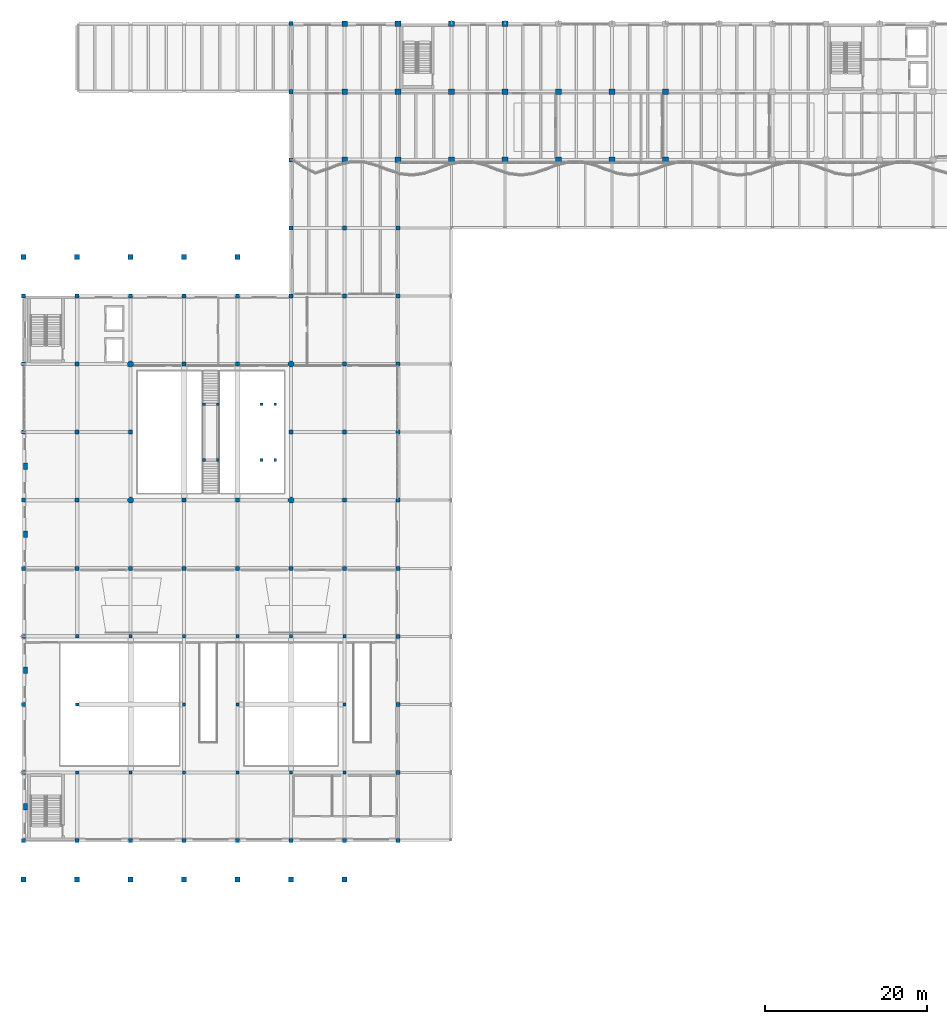
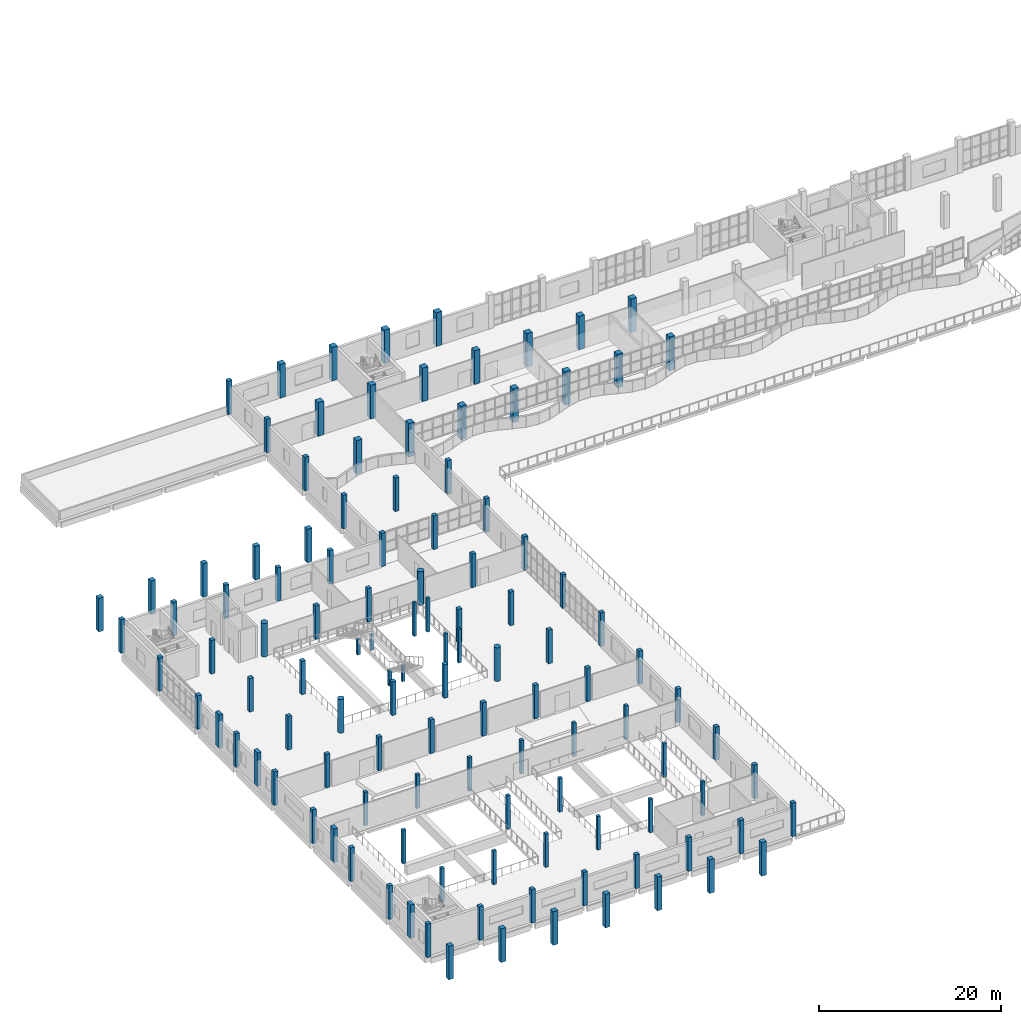
# One storey, part 1 of 83: 116 columns.
"""IFC4 building model written with IfcOpenShell, lengths in metres."""

from ifc_helpers import new_model, si_unit, direction, frame, origin, origin_2d, place, context, subcontext, project, spatial, rectangle, circle, extrude, material, material_profile, profile_set, type_object, element, save


model = new_model("IFC4")

# Units and contexts
model_context = context("Model", 3, precision=1e-05, world=origin(), true_north=direction((0.0, 1.0)))
body_context = subcontext(model_context, "Body", "Model", "MODEL_VIEW")
ifc_project = project(units=[si_unit("LENGTHUNIT", "METRE"), si_unit("AREAUNIT", "SQUARE_METRE"), si_unit("VOLUMEUNIT", "CUBIC_METRE"), si_unit("PLANEANGLEUNIT", "RADIAN"), si_unit("MASSUNIT", "GRAM", prefix="KILO")], contexts=[model_context])

# Site, building, storey
site_placement = place(None, origin())
site = spatial("IfcSite", under=ifc_project, at=site_placement, CompositionType="ELEMENT")
building_placement = place(site_placement, origin())
building = spatial("IfcBuilding", under=site, at=building_placement, Name="Qaldarim Faculty of Natural and Applied Sciences", CompositionType="ELEMENT")
storey_placement = place(building_placement, frame((0.0, 0.0, 5.39990234375)))
storey = spatial("IfcBuildingStorey", under=building, at=storey_placement, Name="L01", CompositionType="ELEMENT", Elevation=5.39990234375)

# Columns
ifc_material_1 = material(Name="Concrete C50/60", Category="concrete")
ifc_material_profile_1 = material_profile(ifc_material_1, circle(Radius=0.375, at=origin_2d()), Name="RC-D750")
ifc_profile_set_1 = profile_set([ifc_material_profile_1], Name="Concrete C50/60")
column_type_1 = type_object("IfcColumnType", Name="AtriumPier-RCD750", PredefinedType="COLUMN", material=ifc_profile_set_1)
for number, where, z_axis, x_axis, name in (
    (1, (13.199951171875, 58.800048828125, 0.0), (0.0, 0.0, 1.0), (1.0, 0.0, 0.0), "Column X03/Y08 L01"),
    (2, (13.199951171875, 75.60009765625, 0.0), (0.0, 0.0, 1.0), (1.0, 0.0, 0.0), "Column X03/Y10 L01"),
    (3, (33.0, 58.800048828125, 0.0), (0.0, 0.0, 1.0), (1.0, 0.0, 0.0), "Column X06/Y08 L01"),
    (4, (33.0, 75.60009765625, 0.0), (0.0, 0.0, 1.0), (1.0, 0.0, 0.0), "Column X06/Y10 L01"),
):
    element("IfcColumn", number, at=place(storey_placement, frame(where, z_axis=z_axis, x_axis=x_axis)), inside=storey, type_object=column_type_1, Name=name, PredefinedType="COLUMN", context=body_context, shape_type="SweptSolid", body=[
        extrude(circle(Radius=0.375, at=origin_2d()), origin(), (0.0, 0.0, 1.0), 4.5),
    ])
ifc_material_2 = material(Name="Concrete C40/50", Category="concrete")
ifc_material_profile_2 = material_profile(ifc_material_2, rectangle(XDim=0.35009765625, YDim=0.35009765625, at=origin_2d()), Name="RC-C350x350")
ifc_profile_set_2 = profile_set([ifc_material_profile_2], Name="Concrete C40/50")
column_type_2 = type_object("IfcColumnType", Name="Column-RC350x350", PredefinedType="COLUMN", material=ifc_profile_set_2)
for number, where, z_axis, x_axis, name in (
    (5, (22.25, 63.77001953125, 0.0), (0.0, 0.0, 1.0), (1.0, 0.0, 0.0), "Open stair landing post ST-AT1-L01 SW"),
    (6, (23.949951171875, 63.77001953125, 0.0), (0.0, 0.0, 1.0), (1.0, 0.0, 0.0), "Open stair landing post ST-AT1-L01 SE"),
    (7, (23.949951171875, 70.6298828125, 0.0), (0.0, 0.0, 1.0), (1.0, 0.0, 0.0), "Open stair landing post ST-AT1-L01 NE"),
    (8, (22.25, 70.6298828125, 0.0), (0.0, 0.0, 1.0), (1.0, 0.0, 0.0), "Open stair landing post ST-AT1-L01 NW"),
):
    element("IfcColumn", number, at=place(storey_placement, frame(where, z_axis=z_axis, x_axis=x_axis)), inside=storey, type_object=column_type_2, Name=name, PredefinedType="COLUMN", context=body_context, shape_type="SweptSolid", body=[
        extrude(rectangle(XDim=0.35009765625, YDim=0.35009765625, at=origin_2d()), origin(), (0.0, 0.0, 1.0), 2.0400390625),
    ])
for number, where, z_axis, x_axis, name in (
    (9, (29.35009765625, 63.77001953125, 0.0), (0.0, 0.0, 1.0), (1.0, 0.0, 0.0), "Open stair landing column ST-AT1-L02 SW L01"),
    (10, (31.050048828125, 63.77001953125, 0.0), (0.0, 0.0, 1.0), (1.0, 0.0, 0.0), "Open stair landing column ST-AT1-L02 SE L01"),
    (11, (31.050048828125, 70.6298828125, 0.0), (0.0, 0.0, 1.0), (1.0, 0.0, 0.0), "Open stair landing column ST-AT1-L02 NE L01"),
    (12, (29.35009765625, 70.6298828125, 0.0), (0.0, 0.0, 1.0), (1.0, 0.0, 0.0), "Open stair landing column ST-AT1-L02 NW L01"),
):
    element("IfcColumn", number, at=place(storey_placement, frame(where, z_axis=z_axis, x_axis=x_axis)), inside=storey, type_object=column_type_2, Name=name, PredefinedType="COLUMN", context=body_context, shape_type="SweptSolid", body=[
        extrude(rectangle(XDim=0.35009765625, YDim=0.35009765625, at=origin_2d()), origin(), (0.0, 0.0, 1.0), 4.5),
    ])
ifc_material_profile_3 = material_profile(ifc_material_2, rectangle(XDim=0.39990234375, YDim=0.39990234375, at=origin_2d()), Name="RC-C400x400")
ifc_profile_set_3 = profile_set([ifc_material_profile_3], Name="Concrete C40/50")
column_type_3 = type_object("IfcColumnType", Name="Column-RC400x400", PredefinedType="COLUMN", material=ifc_profile_set_3)
for number, where, z_axis, x_axis, name in (
    (13, (6.60009765625, 25.199951171875, 0.0), (0.0, 0.0, 1.0), (1.0, 0.0, 0.0), "Column X02/Y04 L01"),
    (14, (6.60009765625, 33.60009765625, 0.0), (0.0, 0.0, 1.0), (1.0, 0.0, 0.0), "Column X02/Y05 L01"),
    (15, (6.60009765625, 42.0, 0.0), (0.0, 0.0, 1.0), (1.0, 0.0, 0.0), "Column X02/Y06 L01"),
    (16, (13.199951171875, 25.199951171875, 0.0), (0.0, 0.0, 1.0), (1.0, 0.0, 0.0), "Column X03/Y04 L01"),
    (17, (13.199951171875, 42.0, 0.0), (0.0, 0.0, 1.0), (1.0, 0.0, 0.0), "Column X03/Y06 L01"),
    (18, (19.800048828125, 25.199951171875, 0.0), (0.0, 0.0, 1.0), (1.0, 0.0, 0.0), "Column X04/Y04 L01"),
    (19, (19.800048828125, 33.60009765625, 0.0), (0.0, 0.0, 1.0), (1.0, 0.0, 0.0), "Column X04/Y05 L01"),
    (20, (19.800048828125, 42.0, 0.0), (0.0, 0.0, 1.0), (1.0, 0.0, 0.0), "Column X04/Y06 L01"),
    (21, (26.39990234375, 25.199951171875, 0.0), (0.0, 0.0, 1.0), (1.0, 0.0, 0.0), "Column X05/Y04 L01"),
    (22, (26.39990234375, 33.60009765625, 0.0), (0.0, 0.0, 1.0), (1.0, 0.0, 0.0), "Column X05/Y05 L01"),
    (23, (26.39990234375, 42.0, 0.0), (0.0, 0.0, 1.0), (1.0, 0.0, 0.0), "Column X05/Y06 L01"),
    (24, (33.0, 25.199951171875, 0.0), (0.0, 0.0, 1.0), (1.0, 0.0, 0.0), "Column X06/Y04 L01"),
    (25, (33.0, 42.0, 0.0), (0.0, 0.0, 1.0), (1.0, 0.0, 0.0), "Column X06/Y06 L01"),
    (26, (39.60009765625, 25.199951171875, 0.0), (0.0, 0.0, 1.0), (1.0, 0.0, 0.0), "Column X07/Y04 L01"),
    (27, (39.60009765625, 33.60009765625, 0.0), (0.0, 0.0, 1.0), (1.0, 0.0, 0.0), "Column X07/Y05 L01"),
    (28, (39.60009765625, 42.0, 0.0), (0.0, 0.0, 1.0), (1.0, 0.0, 0.0), "Column X07/Y06 L01"),
):
    element("IfcColumn", number, at=place(storey_placement, frame(where, z_axis=z_axis, x_axis=x_axis)), inside=storey, type_object=column_type_3, Name=name, PredefinedType="COLUMN", context=body_context, shape_type="SweptSolid", body=[
        extrude(rectangle(XDim=0.39990234375, YDim=0.39990234375, at=origin_2d()), origin(), (0.0, 0.0, 1.0), 4.5),
    ])
ifc_material_profile_4 = material_profile(ifc_material_1, rectangle(XDim=0.5, YDim=0.5, at=origin_2d()), Name="RC-C500x500")
ifc_profile_set_4 = profile_set([ifc_material_profile_4], Name="Concrete C50/60")
column_type_4 = type_object("IfcColumnType", Name="Column-RC500x500", PredefinedType="COLUMN", material=ifc_profile_set_4)
for number, where, z_axis, x_axis, name in (
    (29, (0.0, 16.800048828125, 0.0), (0.0, 0.0, 1.0), (1.0, 0.0, 0.0), "Column X01/Y03 L01"),
    (30, (0.0, 25.199951171875, 0.0), (0.0, 0.0, 1.0), (1.0, 0.0, 0.0), "Column X01/Y04 L01"),
    (31, (0.0, 33.60009765625, 0.0), (0.0, 0.0, 1.0), (1.0, 0.0, 0.0), "Column X01/Y05 L01"),
    (32, (0.0, 42.0, 0.0), (0.0, 0.0, 1.0), (1.0, 0.0, 0.0), "Column X01/Y06 L01"),
    (33, (0.0, 50.39990234375, 0.0), (0.0, 0.0, 1.0), (1.0, 0.0, 0.0), "Column X01/Y07 L01"),
    (34, (0.0, 58.800048828125, 0.0), (0.0, 0.0, 1.0), (1.0, 0.0, 0.0), "Column X01/Y08 L01"),
    (35, (0.0, 67.199951171875, 0.0), (0.0, 0.0, 1.0), (1.0, 0.0, 0.0), "Column X01/Y09 L01"),
    (36, (0.0, 75.60009765625, 0.0), (0.0, 0.0, 1.0), (1.0, 0.0, 0.0), "Column X01/Y10 L01"),
    (37, (0.0, 84.0, 0.0), (0.0, 0.0, 1.0), (1.0, 0.0, 0.0), "Column X01/Y11 L01"),
    (38, (6.60009765625, 16.800048828125, 0.0), (0.0, 0.0, 1.0), (1.0, 0.0, 0.0), "Column X02/Y03 L01"),
    (39, (6.60009765625, 50.39990234375, 0.0), (0.0, 0.0, 1.0), (1.0, 0.0, 0.0), "Column X02/Y07 L01"),
    (40, (6.60009765625, 58.800048828125, 0.0), (0.0, 0.0, 1.0), (1.0, 0.0, 0.0), "Column X02/Y08 L01"),
    (41, (6.60009765625, 67.199951171875, 0.0), (0.0, 0.0, 1.0), (1.0, 0.0, 0.0), "Column X02/Y09 L01"),
    (42, (6.60009765625, 75.60009765625, 0.0), (0.0, 0.0, 1.0), (1.0, 0.0, 0.0), "Column X02/Y10 L01"),
    (43, (6.60009765625, 84.0, 0.0), (0.0, 0.0, 1.0), (1.0, 0.0, 0.0), "Column X02/Y11 L01"),
    (44, (13.199951171875, 16.800048828125, 0.0), (0.0, 0.0, 1.0), (1.0, 0.0, 0.0), "Column X03/Y03 L01"),
    (45, (13.199951171875, 50.39990234375, 0.0), (0.0, 0.0, 1.0), (1.0, 0.0, 0.0), "Column X03/Y07 L01"),
    (46, (13.199951171875, 67.199951171875, 0.0), (0.0, 0.0, 1.0), (1.0, 0.0, 0.0), "Column X03/Y09 L01"),
    (47, (13.199951171875, 84.0, 0.0), (0.0, 0.0, 1.0), (1.0, 0.0, 0.0), "Column X03/Y11 L01"),
    (48, (19.800048828125, 16.800048828125, 0.0), (0.0, 0.0, 1.0), (1.0, 0.0, 0.0), "Column X04/Y03 L01"),
    (49, (19.800048828125, 50.39990234375, 0.0), (0.0, 0.0, 1.0), (1.0, 0.0, 0.0), "Column X04/Y07 L01"),
    (50, (19.800048828125, 58.800048828125, 0.0), (0.0, 0.0, 1.0), (1.0, 0.0, 0.0), "Column X04/Y08 L01"),
    (51, (19.800048828125, 75.60009765625, 0.0), (0.0, 0.0, 1.0), (1.0, 0.0, 0.0), "Column X04/Y10 L01"),
    (52, (19.800048828125, 84.0, 0.0), (0.0, 0.0, 1.0), (1.0, 0.0, 0.0), "Column X04/Y11 L01"),
    (53, (26.39990234375, 16.800048828125, 0.0), (0.0, 0.0, 1.0), (1.0, 0.0, 0.0), "Column X05/Y03 L01"),
    (54, (26.39990234375, 50.39990234375, 0.0), (0.0, 0.0, 1.0), (1.0, 0.0, 0.0), "Column X05/Y07 L01"),
    (55, (26.39990234375, 58.800048828125, 0.0), (0.0, 0.0, 1.0), (1.0, 0.0, 0.0), "Column X05/Y08 L01"),
    (56, (26.39990234375, 75.60009765625, 0.0), (0.0, 0.0, 1.0), (1.0, 0.0, 0.0), "Column X05/Y10 L01"),
    (57, (26.39990234375, 84.0, 0.0), (0.0, 0.0, 1.0), (1.0, 0.0, 0.0), "Column X05/Y11 L01"),
    (58, (33.0, 16.800048828125, 0.0), (0.0, 0.0, 1.0), (1.0, 0.0, 0.0), "Column X06/Y03 L01"),
    (59, (33.0, 50.39990234375, 0.0), (0.0, 0.0, 1.0), (1.0, 0.0, 0.0), "Column X06/Y07 L01"),
    (60, (33.0, 67.199951171875, 0.0), (0.0, 0.0, 1.0), (1.0, 0.0, 0.0), "Column X06/Y09 L01"),
    (61, (33.0, 84.0, 0.0), (0.0, 0.0, 1.0), (1.0, 0.0, 0.0), "Column X06/Y11 L01"),
    (62, (33.0, 92.39990234375, 0.0), (0.0, 0.0, 1.0), (1.0, 0.0, 0.0), "Column X06/Y12 L01"),
    (63, (33.0, 100.800048828125, 0.0), (0.0, 0.0, 1.0), (1.0, 0.0, 0.0), "Column X06/Y13 L01"),
    (64, (33.0, 109.199951171875, 0.0), (0.0, 0.0, 1.0), (1.0, 0.0, 0.0), "Column X06/Y14 L01"),
    (65, (33.0, 117.60009765625, 0.0), (0.0, 0.0, 1.0), (1.0, 0.0, 0.0), "Column X06/Y15 L01"),
    (66, (39.60009765625, 16.800048828125, 0.0), (0.0, 0.0, 1.0), (1.0, 0.0, 0.0), "Column X07/Y03 L01"),
    (67, (39.60009765625, 50.39990234375, 0.0), (0.0, 0.0, 1.0), (1.0, 0.0, 0.0), "Column X07/Y07 L01"),
    (68, (39.60009765625, 58.800048828125, 0.0), (0.0, 0.0, 1.0), (1.0, 0.0, 0.0), "Column X07/Y08 L01"),
    (69, (39.60009765625, 67.199951171875, 0.0), (0.0, 0.0, 1.0), (1.0, 0.0, 0.0), "Column X07/Y09 L01"),
    (70, (39.60009765625, 75.60009765625, 0.0), (0.0, 0.0, 1.0), (1.0, 0.0, 0.0), "Column X07/Y10 L01"),
    (71, (39.60009765625, 84.0, 0.0), (0.0, 0.0, 1.0), (1.0, 0.0, 0.0), "Column X07/Y11 L01"),
    (72, (39.60009765625, 92.39990234375, 0.0), (0.0, 0.0, 1.0), (1.0, 0.0, 0.0), "Column X07/Y12 L01"),
    (73, (46.199951171875, 16.800048828125, 0.0), (0.0, 0.0, 1.0), (1.0, 0.0, 0.0), "Column X08/Y03 L01"),
    (74, (46.199951171875, 25.199951171875, 0.0), (0.0, 0.0, 1.0), (1.0, 0.0, 0.0), "Column X08/Y04 L01"),
    (75, (46.199951171875, 33.60009765625, 0.0), (0.0, 0.0, 1.0), (1.0, 0.0, 0.0), "Column X08/Y05 L01"),
    (76, (46.199951171875, 42.0, 0.0), (0.0, 0.0, 1.0), (1.0, 0.0, 0.0), "Column X08/Y06 L01"),
    (77, (46.199951171875, 50.39990234375, 0.0), (0.0, 0.0, 1.0), (1.0, 0.0, 0.0), "Column X08/Y07 L01"),
    (78, (46.199951171875, 58.800048828125, 0.0), (0.0, 0.0, 1.0), (1.0, 0.0, 0.0), "Column X08/Y08 L01"),
    (79, (46.199951171875, 67.199951171875, 0.0), (0.0, 0.0, 1.0), (1.0, 0.0, 0.0), "Column X08/Y09 L01"),
    (80, (46.199951171875, 75.60009765625, 0.0), (0.0, 0.0, 1.0), (1.0, 0.0, 0.0), "Column X08/Y10 L01"),
    (81, (46.199951171875, 84.0, 0.0), (0.0, 0.0, 1.0), (1.0, 0.0, 0.0), "Column X08/Y11 L01"),
    (82, (46.199951171875, 92.39990234375, 0.0), (0.0, 0.0, 1.0), (1.0, 0.0, 0.0), "Column X08/Y12 L01"),
):
    element("IfcColumn", number, at=place(storey_placement, frame(where, z_axis=z_axis, x_axis=x_axis)), inside=storey, type_object=column_type_4, Name=name, PredefinedType="COLUMN", context=body_context, shape_type="SweptSolid", body=[
        extrude(rectangle(XDim=0.5, YDim=0.5, at=origin_2d()), origin(), (0.0, 0.0, 1.0), 4.5),
    ])
ifc_material_profile_5 = material_profile(ifc_material_1, rectangle(XDim=0.60009765625, YDim=0.60009765625, at=origin_2d()), Name="RC-C600x600")
ifc_profile_set_5 = profile_set([ifc_material_profile_5], Name="Concrete C50/60")
column_type_5 = type_object("IfcColumnType", Name="Column-RC600x600", PredefinedType="COLUMN", material=ifc_profile_set_5)
for number, where, z_axis, x_axis, name in (
    (83, (0.0, 12.0, 0.0), (0.0, 0.0, 1.0), (1.0, 0.0, 0.0), "Shell south buttress pier 1 L01"),
    (84, (0.0, 88.800048828125, 0.0), (0.0, 0.0, 1.0), (1.0, 0.0, 0.0), "Shell north buttress pier 1 L01"),
    (85, (6.60009765625, 12.0, 0.0), (0.0, 0.0, 1.0), (1.0, 0.0, 0.0), "Shell south buttress pier 2 L01"),
    (86, (6.60009765625, 88.800048828125, 0.0), (0.0, 0.0, 1.0), (1.0, 0.0, 0.0), "Shell north buttress pier 2 L01"),
    (87, (13.199951171875, 12.0, 0.0), (0.0, 0.0, 1.0), (1.0, 0.0, 0.0), "Shell south buttress pier 3 L01"),
    (88, (13.199951171875, 88.800048828125, 0.0), (0.0, 0.0, 1.0), (1.0, 0.0, 0.0), "Shell north buttress pier 3 L01"),
    (89, (19.800048828125, 12.0, 0.0), (0.0, 0.0, 1.0), (1.0, 0.0, 0.0), "Shell south buttress pier 4 L01"),
    (90, (19.800048828125, 88.800048828125, 0.0), (0.0, 0.0, 1.0), (1.0, 0.0, 0.0), "Shell north buttress pier 4 L01"),
    (91, (26.39990234375, 12.0, 0.0), (0.0, 0.0, 1.0), (1.0, 0.0, 0.0), "Shell south buttress pier 5 L01"),
    (92, (26.39990234375, 88.800048828125, 0.0), (0.0, 0.0, 1.0), (1.0, 0.0, 0.0), "Shell north buttress pier 5 L01"),
    (93, (33.0, 12.0, 0.0), (0.0, 0.0, 1.0), (1.0, 0.0, 0.0), "Shell south buttress pier 6 L01"),
    (94, (39.60009765625, 12.0, 0.0), (0.0, 0.0, 1.0), (1.0, 0.0, 0.0), "Shell south buttress pier 7 L01"),
):
    element("IfcColumn", number, at=place(storey_placement, frame(where, z_axis=z_axis, x_axis=x_axis)), inside=storey, type_object=column_type_5, Name=name, PredefinedType="COLUMN", context=body_context, shape_type="SweptSolid", body=[
        extrude(rectangle(XDim=0.60009765625, YDim=0.60009765625, at=origin_2d()), origin(), (0.0, 0.0, 1.0), 4.5),
    ])
ifc_material_profile_6 = material_profile(ifc_material_1, rectangle(XDim=0.699951171875, YDim=0.699951171875, at=origin_2d()), Name="RC-C700x700")
ifc_profile_set_6 = profile_set([ifc_material_profile_6], Name="Concrete C50/60")
column_type_6 = type_object("IfcColumnType", Name="Column-RC700x700", PredefinedType="COLUMN", material=ifc_profile_set_6)
for number, where, z_axis, x_axis, name in (
    (95, (39.60009765625, 100.800048828125, 0.0), (0.0, 0.0, 1.0), (1.0, 0.0, 0.0), "Column X07/Y13 L01"),
    (96, (39.60009765625, 109.199951171875, 0.0), (0.0, 0.0, 1.0), (1.0, 0.0, 0.0), "Column X07/Y14 L01"),
    (97, (39.60009765625, 117.60009765625, 0.0), (0.0, 0.0, 1.0), (1.0, 0.0, 0.0), "Column X07/Y15 L01"),
    (98, (46.199951171875, 100.800048828125, 0.0), (0.0, 0.0, 1.0), (1.0, 0.0, 0.0), "Column X08/Y13 L01"),
    (99, (46.199951171875, 109.199951171875, 0.0), (0.0, 0.0, 1.0), (1.0, 0.0, 0.0), "Column X08/Y14 L01"),
    (100, (46.199951171875, 117.60009765625, 0.0), (0.0, 0.0, 1.0), (1.0, 0.0, 0.0), "Column X08/Y15 L01"),
    (101, (52.800048828125, 100.800048828125, 0.0), (0.0, 0.0, 1.0), (1.0, 0.0, 0.0), "Column X09/Y13 L01"),
    (102, (52.800048828125, 109.199951171875, 0.0), (0.0, 0.0, 1.0), (1.0, 0.0, 0.0), "Column X09/Y14 L01"),
    (103, (52.800048828125, 117.60009765625, 0.0), (0.0, 0.0, 1.0), (1.0, 0.0, 0.0), "Column X09/Y15 L01"),
    (104, (59.39990234375, 100.800048828125, 0.0), (0.0, 0.0, 1.0), (1.0, 0.0, 0.0), "Column X10/Y13 L01"),
    (105, (59.39990234375, 109.199951171875, 0.0), (0.0, 0.0, 1.0), (1.0, 0.0, 0.0), "Column X10/Y14 L01"),
    (106, (59.39990234375, 117.60009765625, 0.0), (0.0, 0.0, 1.0), (1.0, 0.0, 0.0), "Column X10/Y15 L01"),
    (107, (66.0, 100.800048828125, 0.0), (0.0, 0.0, 1.0), (1.0, 0.0, 0.0), "Column X11/Y13 L01"),
    (108, (66.0, 109.199951171875, 0.0), (0.0, 0.0, 1.0), (1.0, 0.0, 0.0), "Column X11/Y14 L01"),
    (109, (72.60009765625, 100.800048828125, 0.0), (0.0, 0.0, 1.0), (1.0, 0.0, 0.0), "Column X12/Y13 L01"),
    (110, (72.60009765625, 109.199951171875, 0.0), (0.0, 0.0, 1.0), (1.0, 0.0, 0.0), "Column X12/Y14 L01"),
    (111, (79.199951171875, 100.800048828125, 0.0), (0.0, 0.0, 1.0), (1.0, 0.0, 0.0), "Column X13/Y13 L01"),
    (112, (79.199951171875, 109.199951171875, 0.0), (0.0, 0.0, 1.0), (1.0, 0.0, 0.0), "Column X13/Y14 L01"),
):
    element("IfcColumn", number, at=place(storey_placement, frame(where, z_axis=z_axis, x_axis=x_axis)), inside=storey, type_object=column_type_6, Name=name, PredefinedType="COLUMN", context=body_context, shape_type="SweptSolid", body=[
        extrude(rectangle(XDim=0.699951171875, YDim=0.699951171875, at=origin_2d()), origin(), (0.0, 0.0, 1.0), 4.5),
    ])
ifc_material_profile_7 = material_profile(ifc_material_1, rectangle(XDim=0.449951171875, YDim=0.800048828125, at=origin_2d()), Name="RC-C450x800")
ifc_profile_set_7 = profile_set([ifc_material_profile_7], Name="Concrete C50/60")
column_type_7 = type_object("IfcColumnType", Name="Pilaster-RC450x800", PredefinedType="PILASTER", material=ifc_profile_set_7)
for number, where, z_axis, x_axis, name in (
    (113, (0.22509765625, 21.0, 0.0), (0.0, 0.0, 1.0), (1.0, 0.0, 0.0), "West facade pilaster L01 bay Y03"),
    (114, (0.22509765625, 37.800048828125, 0.0), (0.0, 0.0, 1.0), (1.0, 0.0, 0.0), "West facade pilaster L01 bay Y05"),
    (115, (0.22509765625, 54.60009765625, 0.0), (0.0, 0.0, 1.0), (1.0, 0.0, 0.0), "West facade pilaster L01 bay Y07"),
    (116, (0.22509765625, 63.0, 0.0), (0.0, 0.0, 1.0), (1.0, 0.0, 0.0), "West facade pilaster L01 bay Y08"),
):
    element("IfcColumn", number, at=place(storey_placement, frame(where, z_axis=z_axis, x_axis=x_axis)), inside=storey, type_object=column_type_7, Name=name, PredefinedType="PILASTER", context=body_context, shape_type="SweptSolid", body=[
        extrude(rectangle(XDim=0.449951171875, YDim=0.800048828125, at=origin_2d()), origin(), (0.0, 0.0, 1.0), 4.5),
    ])

save(model, "model.ifc")
